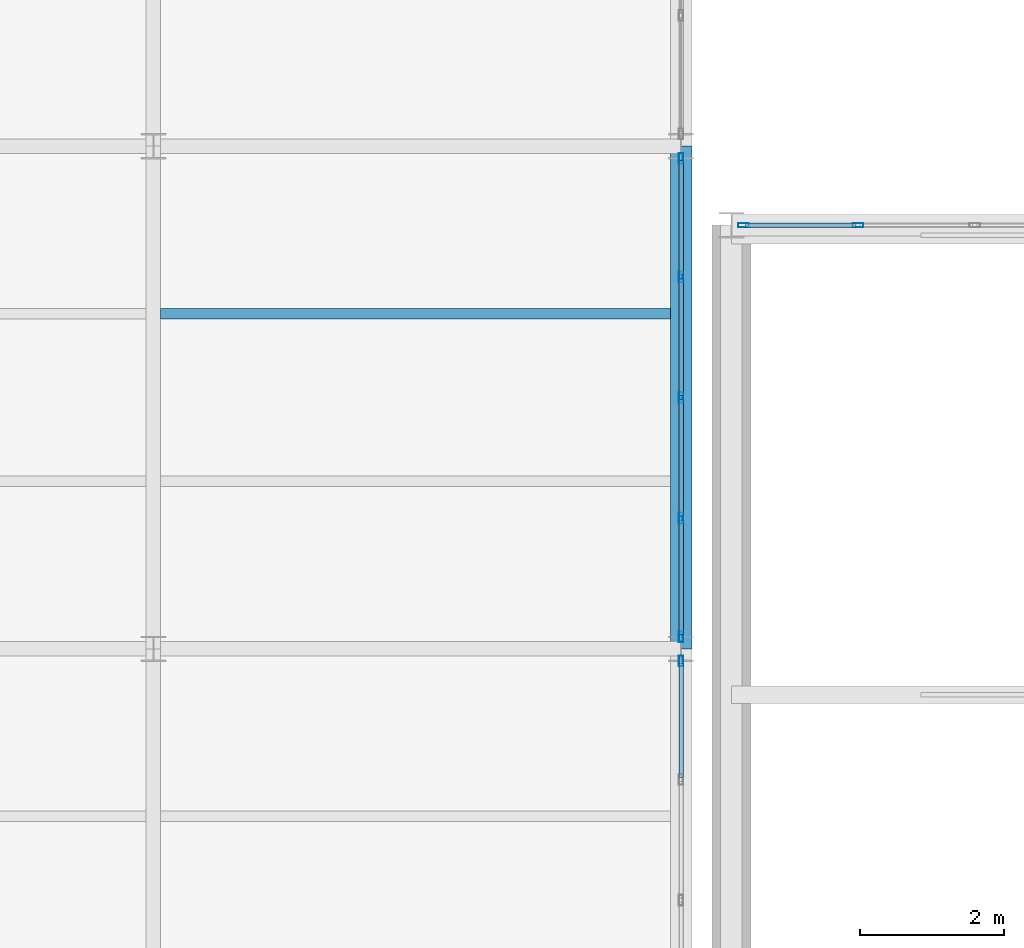
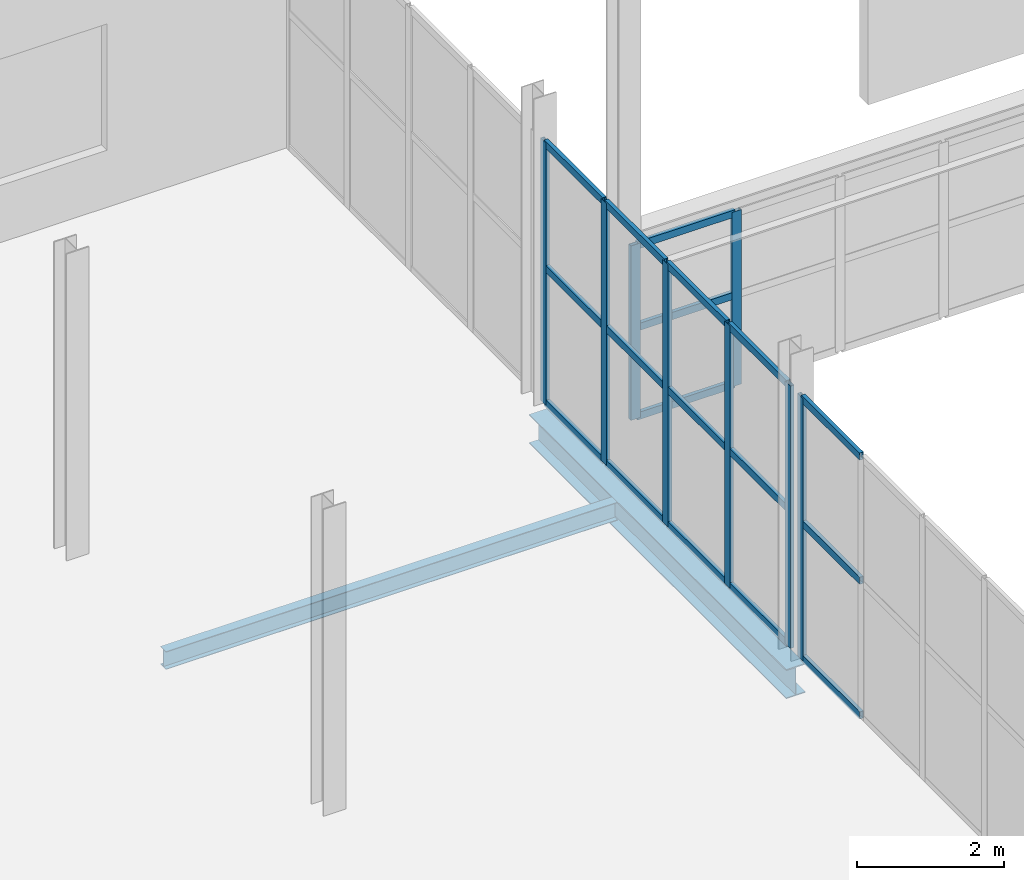
# One storey, part 57 of 218: 26 members, 2 beams, 3 elements without a shape of their own.
"""IFC4 building model written with IfcOpenShell, lengths in metres."""

from ifc_helpers import new_model, si_unit, direction, frame, origin, origin_2d, place, context, subcontext, project, spatial, hollow_rectangle, i_section, extrude, material, material_profile, profile_set, type_object, element, aggregate, save


model = new_model("IFC4")

# Units and contexts
model_context = context("Model", 3, precision=1e-05, world=origin(), true_north=direction((0.0, 1.0)))
body_context = subcontext(model_context, "Body", "Model", "MODEL_VIEW")
ifc_project = project(units=[si_unit("LENGTHUNIT", "METRE"), si_unit("AREAUNIT", "SQUARE_METRE"), si_unit("VOLUMEUNIT", "CUBIC_METRE"), si_unit("PLANEANGLEUNIT", "RADIAN"), si_unit("MASSUNIT", "GRAM", prefix="KILO")], contexts=[model_context])

# Site, building, storey
site_placement = place(None, origin())
site = spatial("IfcSite", under=ifc_project, at=site_placement, CompositionType="ELEMENT")
building_placement = place(site_placement, origin())
building = spatial("IfcBuilding", under=site, at=building_placement, Name="Kazenagashi Tramway Depot", CompositionType="ELEMENT")
storey_placement = place(building_placement, frame((0.0, 0.0, 6.0)))
storey = spatial("IfcBuildingStorey", under=building, at=storey_placement, Name="L02", CompositionType="ELEMENT", Elevation=6.0)

# Beam
ifc_material_1 = material(Name="Steel SN400B", Category="steel")
ifc_material_profile_1 = material_profile(ifc_material_1, i_section(OverallWidth=0.15, OverallDepth=0.3, WebThickness=0.0065, FlangeThickness=0.009, at=origin_2d()), Name="H-300x150x6.5x9")
ifc_profile_set_1 = profile_set([ifc_material_profile_1], Name="Steel SN400B")
beam_type_1 = type_object("IfcBeamType", Name="J-02", PredefinedType="JOIST", material=ifc_profile_set_1)
beam_1_placement = place(storey_placement, frame((36.85, 53.667, -0.4), z_axis=(1.0, 0.0, 0.0), x_axis=(0.0, 1.0, 0.0)))
element("IfcBeam", 1, at=beam_1_placement, inside=storey, type_object=beam_type_1, Name="Beam J-02 BM-0205", PredefinedType="JOIST", context=body_context, shape_type="SweptSolid", body=[
    extrude(i_section(OverallWidth=0.15, OverallDepth=0.3, WebThickness=0.0065, FlangeThickness=0.009, at=origin_2d()), origin(), (0.0, 0.0, 1.0), 7.1),
])

# Curtain wall, members
ifc_material_2 = material(Name="Anodised Aluminium and Low-E Glazing", Category="aluminium")
curtain_wall_type_1 = type_object("IfcCurtainWallType", Name="CW-21", PredefinedType="USERDEFINED", material=ifc_material_2)
curtain_wall_1_placement = place(storey_placement, origin())
curtain_wall_1 = element("IfcCurtainWall", 2, at=curtain_wall_1_placement, inside=storey, type_object=curtain_wall_type_1, Name="Industrial Glazed Screen CW-21 CW-0107", ObjectType="GLAZED SCREEN", PredefinedType="USERDEFINED")
ifc_material_3 = material(Name="Anodised Aluminium", Category="aluminium")
ifc_material_profile_2 = material_profile(ifc_material_3, hollow_rectangle(XDim=0.06, YDim=0.15, WallThickness=0.004, at=origin_2d()), Name="RHS-150x60x4")
ifc_profile_set_2 = profile_set([ifc_material_profile_2], Name="Anodised Aluminium")
member_type_1 = type_object("IfcMemberType", Name="ML-01", PredefinedType="MULLION", material=ifc_profile_set_2)
member_1_placement = place(storey_placement, frame((44.97, 54.9, 0.0), z_axis=(0.0, 0.0, 1.0), x_axis=(0.0, 1.0, 0.0)))
member_1 = element("IfcMember", 3, at=member_1_placement, type_object=member_type_1, Name="CW-21 mullion 1", PredefinedType="MULLION", context=body_context, shape_type="SweptSolid", body=[
    extrude(hollow_rectangle(XDim=0.06, YDim=0.15, WallThickness=0.004, at=origin_2d()), origin(), (0.0, 0.0, 1.0), 2.9),
])
member_2_placement = place(storey_placement, frame((46.564, 54.9, 0.0), z_axis=(0.0, 0.0, 1.0), x_axis=(0.0, 1.0, 0.0)))
member_2 = element("IfcMember", 4, at=member_2_placement, type_object=member_type_1, Name="CW-21 mullion 2", PredefinedType="MULLION", context=body_context, shape_type="SweptSolid", body=[
    extrude(hollow_rectangle(XDim=0.06, YDim=0.15, WallThickness=0.004, at=origin_2d()), origin(), (0.0, 0.0, 1.0), 2.9),
])

# Curtain wall, member
curtain_wall_type_2 = type_object("IfcCurtainWallType", Name="CW-34", PredefinedType="USERDEFINED", material=ifc_material_2)
curtain_wall_2_placement = place(storey_placement, origin())
curtain_wall_2 = element("IfcCurtainWall", 5, at=curtain_wall_2_placement, inside=storey, type_object=curtain_wall_type_2, Name="Industrial Glazed Screen CW-34 CW-0192", ObjectType="GLAZED SCREEN", PredefinedType="USERDEFINED")
member_3_placement = place(storey_placement, frame((44.1, 48.83, 0.0), z_axis=(0.0, 0.0, 1.0), x_axis=(-1.0, 0.0, 0.0)))
member_3 = element("IfcMember", 6, at=member_3_placement, type_object=member_type_1, Name="CW-34 mullion 5", PredefinedType="MULLION", context=body_context, shape_type="SweptSolid", body=[
    extrude(hollow_rectangle(XDim=0.06, YDim=0.15, WallThickness=0.004, at=origin_2d()), origin(), (0.0, 0.0, 1.0), 4.362),
])

# Curtain wall, members
curtain_wall_3_placement = place(storey_placement, origin())
curtain_wall_3 = element("IfcCurtainWall", 7, at=curtain_wall_3_placement, inside=storey, type_object=curtain_wall_type_2, Name="Industrial Glazed Screen CW-34 CW-0194", ObjectType="GLAZED SCREEN", PredefinedType="USERDEFINED")
member_4_placement = place(storey_placement, frame((44.1, 49.17, 0.0), z_axis=(0.0, 0.0, 1.0), x_axis=(-1.0, 0.0, 0.0)))
member_4 = element("IfcMember", 8, at=member_4_placement, type_object=member_type_1, Name="CW-34 mullion 1", PredefinedType="MULLION", context=body_context, shape_type="SweptSolid", body=[
    extrude(hollow_rectangle(XDim=0.06, YDim=0.15, WallThickness=0.004, at=origin_2d()), origin(), (0.0, 0.0, 1.0), 4.362),
])
member_5_placement = place(storey_placement, frame((44.1, 50.82, 0.0), z_axis=(0.0, 0.0, 1.0), x_axis=(-1.0, 0.0, 0.0)))
member_5 = element("IfcMember", 9, at=member_5_placement, type_object=member_type_1, Name="CW-34 mullion 2", PredefinedType="MULLION", context=body_context, shape_type="SweptSolid", body=[
    extrude(hollow_rectangle(XDim=0.06, YDim=0.15, WallThickness=0.004, at=origin_2d()), origin(), (0.0, 0.0, 1.0), 4.362),
])
member_6_placement = place(storey_placement, frame((44.1, 52.5, 0.0), z_axis=(0.0, 0.0, 1.0), x_axis=(-1.0, 0.0, 0.0)))
member_6 = element("IfcMember", 10, at=member_6_placement, type_object=member_type_1, Name="CW-34 mullion 3", PredefinedType="MULLION", context=body_context, shape_type="SweptSolid", body=[
    extrude(hollow_rectangle(XDim=0.06, YDim=0.15, WallThickness=0.004, at=origin_2d()), origin(), (0.0, 0.0, 1.0), 4.362),
])
member_7_placement = place(storey_placement, frame((44.1, 54.18, 0.0), z_axis=(0.0, 0.0, 1.0), x_axis=(-1.0, 0.0, 0.0)))
member_7 = element("IfcMember", 11, at=member_7_placement, type_object=member_type_1, Name="CW-34 mullion 4", PredefinedType="MULLION", context=body_context, shape_type="SweptSolid", body=[
    extrude(hollow_rectangle(XDim=0.06, YDim=0.15, WallThickness=0.004, at=origin_2d()), origin(), (0.0, 0.0, 1.0), 4.362),
])
member_8_placement = place(storey_placement, frame((44.1, 55.83, 0.0), z_axis=(0.0, 0.0, 1.0), x_axis=(-1.0, 0.0, 0.0)))
member_8 = element("IfcMember", 12, at=member_8_placement, type_object=member_type_1, Name="CW-34 mullion 5", PredefinedType="MULLION", context=body_context, shape_type="SweptSolid", body=[
    extrude(hollow_rectangle(XDim=0.06, YDim=0.15, WallThickness=0.004, at=origin_2d()), origin(), (0.0, 0.0, 1.0), 4.362),
])

# Beam
ifc_material_4 = material(Name="Steel SN490B", Category="steel")
ifc_material_profile_3 = material_profile(ifc_material_4, i_section(OverallWidth=0.3, OverallDepth=0.488, WebThickness=0.011, FlangeThickness=0.018, at=origin_2d()), Name="H-488x300x11x18")
ifc_profile_set_3 = profile_set([ifc_material_profile_3], Name="Steel SN490B")
beam_type_2 = type_object("IfcBeamType", Name="SP-02", PredefinedType="SPANDREL", material=ifc_profile_set_3)
beam_2_placement = place(storey_placement, frame((44.1, 49.0, -0.494), z_axis=(0.0, 1.0, 0.0), x_axis=(-1.0, 0.0, 0.0)))
element("IfcBeam", 13, at=beam_2_placement, inside=storey, type_object=beam_type_2, Name="Beam SP-02 BM-0216", PredefinedType="SPANDREL", context=body_context, shape_type="SweptSolid", body=[
    extrude(i_section(OverallWidth=0.3, OverallDepth=0.488, WebThickness=0.011, FlangeThickness=0.018, at=origin_2d()), origin(), (0.0, 0.0, 1.0), 7.0),
])

# Member
ifc_material_profile_4 = material_profile(ifc_material_3, hollow_rectangle(XDim=0.06, YDim=0.12, WallThickness=0.004, at=origin_2d()), Name="RHS-120x60x4")
ifc_profile_set_4 = profile_set([ifc_material_profile_4], Name="Anodised Aluminium")
member_type_2 = type_object("IfcMemberType", Name="TR-01", PredefinedType="USERDEFINED", material=ifc_profile_set_4)
member_9_placement = place(storey_placement, frame((45.0, 54.9, 0.03), z_axis=(1.0, 0.0, 0.0), x_axis=(0.0, 1.0, 0.0)))
member_9 = element("IfcMember", 14, at=member_9_placement, type_object=member_type_2, Name="CW-21 transom 1.1", ObjectType="TRANSOM", PredefinedType="USERDEFINED", context=body_context, shape_type="SweptSolid", body=[
    extrude(hollow_rectangle(XDim=0.06, YDim=0.12, WallThickness=0.004, at=origin_2d()), origin(), (0.0, 0.0, 1.0), 1.534),
])

member_10_placement = place(storey_placement, frame((45.0, 54.9, 1.508), z_axis=(1.0, 0.0, 0.0), x_axis=(0.0, 1.0, 0.0)))
member_10 = element("IfcMember", 15, at=member_10_placement, type_object=member_type_2, Name="CW-21 transom 1.2", ObjectType="TRANSOM", PredefinedType="USERDEFINED", context=body_context, shape_type="SweptSolid", body=[
    extrude(hollow_rectangle(XDim=0.06, YDim=0.12, WallThickness=0.004, at=origin_2d()), origin(), (0.0, 0.0, 1.0), 1.534),
])

member_11_placement = place(storey_placement, frame((45.0, 54.9, 2.87), z_axis=(1.0, 0.0, 0.0), x_axis=(0.0, 1.0, 0.0)))
member_11 = element("IfcMember", 16, at=member_11_placement, type_object=member_type_2, Name="CW-21 transom 1.3", ObjectType="TRANSOM", PredefinedType="USERDEFINED", context=body_context, shape_type="SweptSolid", body=[
    extrude(hollow_rectangle(XDim=0.06, YDim=0.12, WallThickness=0.004, at=origin_2d()), origin(), (0.0, 0.0, 1.0), 1.534),
])

aggregate(curtain_wall_1, [member_1, member_2, member_9, member_10, member_11])

member_12_placement = place(storey_placement, frame((44.1, 47.21, 0.03), z_axis=(0.0, 1.0, 0.0), x_axis=(-1.0, 0.0, 0.0)))
member_12 = element("IfcMember", 17, at=member_12_placement, type_object=member_type_2, Name="CW-34 transom 4.1", ObjectType="TRANSOM", PredefinedType="USERDEFINED", context=body_context, shape_type="SweptSolid", body=[
    extrude(hollow_rectangle(XDim=0.06, YDim=0.12, WallThickness=0.004, at=origin_2d()), origin(), (0.0, 0.0, 1.0), 1.59),
])

member_13_placement = place(storey_placement, frame((44.1, 47.21, 2.268), z_axis=(0.0, 1.0, 0.0), x_axis=(-1.0, 0.0, 0.0)))
member_13 = element("IfcMember", 18, at=member_13_placement, type_object=member_type_2, Name="CW-34 transom 4.2", ObjectType="TRANSOM", PredefinedType="USERDEFINED", context=body_context, shape_type="SweptSolid", body=[
    extrude(hollow_rectangle(XDim=0.06, YDim=0.12, WallThickness=0.004, at=origin_2d()), origin(), (0.0, 0.0, 1.0), 1.59),
])

member_14_placement = place(storey_placement, frame((44.1, 47.21, 4.332), z_axis=(0.0, 1.0, 0.0), x_axis=(-1.0, 0.0, 0.0)))
member_14 = element("IfcMember", 19, at=member_14_placement, type_object=member_type_2, Name="CW-34 transom 4.3", ObjectType="TRANSOM", PredefinedType="USERDEFINED", context=body_context, shape_type="SweptSolid", body=[
    extrude(hollow_rectangle(XDim=0.06, YDim=0.12, WallThickness=0.004, at=origin_2d()), origin(), (0.0, 0.0, 1.0), 1.59),
])

aggregate(curtain_wall_2, [member_3, member_12, member_13, member_14])

member_15_placement = place(storey_placement, frame((44.1, 49.2, 0.03), z_axis=(0.0, 1.0, 0.0), x_axis=(-1.0, 0.0, 0.0)))
member_15 = element("IfcMember", 20, at=member_15_placement, type_object=member_type_2, Name="CW-34 transom 1.1", ObjectType="TRANSOM", PredefinedType="USERDEFINED", context=body_context, shape_type="SweptSolid", body=[
    extrude(hollow_rectangle(XDim=0.06, YDim=0.12, WallThickness=0.004, at=origin_2d()), origin(), (0.0, 0.0, 1.0), 1.59),
])

member_16_placement = place(storey_placement, frame((44.1, 49.2, 2.268), z_axis=(0.0, 1.0, 0.0), x_axis=(-1.0, 0.0, 0.0)))
member_16 = element("IfcMember", 21, at=member_16_placement, type_object=member_type_2, Name="CW-34 transom 1.2", ObjectType="TRANSOM", PredefinedType="USERDEFINED", context=body_context, shape_type="SweptSolid", body=[
    extrude(hollow_rectangle(XDim=0.06, YDim=0.12, WallThickness=0.004, at=origin_2d()), origin(), (0.0, 0.0, 1.0), 1.59),
])

member_17_placement = place(storey_placement, frame((44.1, 49.2, 4.332), z_axis=(0.0, 1.0, 0.0), x_axis=(-1.0, 0.0, 0.0)))
member_17 = element("IfcMember", 22, at=member_17_placement, type_object=member_type_2, Name="CW-34 transom 1.3", ObjectType="TRANSOM", PredefinedType="USERDEFINED", context=body_context, shape_type="SweptSolid", body=[
    extrude(hollow_rectangle(XDim=0.06, YDim=0.12, WallThickness=0.004, at=origin_2d()), origin(), (0.0, 0.0, 1.0), 1.59),
])

member_18_placement = place(storey_placement, frame((44.1, 50.85, 0.03), z_axis=(0.0, 1.0, 0.0), x_axis=(-1.0, 0.0, 0.0)))
member_18 = element("IfcMember", 23, at=member_18_placement, type_object=member_type_2, Name="CW-34 transom 2.1", ObjectType="TRANSOM", PredefinedType="USERDEFINED", context=body_context, shape_type="SweptSolid", body=[
    extrude(hollow_rectangle(XDim=0.06, YDim=0.12, WallThickness=0.004, at=origin_2d()), origin(), (0.0, 0.0, 1.0), 1.62),
])

member_19_placement = place(storey_placement, frame((44.1, 50.85, 2.268), z_axis=(0.0, 1.0, 0.0), x_axis=(-1.0, 0.0, 0.0)))
member_19 = element("IfcMember", 24, at=member_19_placement, type_object=member_type_2, Name="CW-34 transom 2.2", ObjectType="TRANSOM", PredefinedType="USERDEFINED", context=body_context, shape_type="SweptSolid", body=[
    extrude(hollow_rectangle(XDim=0.06, YDim=0.12, WallThickness=0.004, at=origin_2d()), origin(), (0.0, 0.0, 1.0), 1.62),
])

member_20_placement = place(storey_placement, frame((44.1, 50.85, 4.332), z_axis=(0.0, 1.0, 0.0), x_axis=(-1.0, 0.0, 0.0)))
member_20 = element("IfcMember", 25, at=member_20_placement, type_object=member_type_2, Name="CW-34 transom 2.3", ObjectType="TRANSOM", PredefinedType="USERDEFINED", context=body_context, shape_type="SweptSolid", body=[
    extrude(hollow_rectangle(XDim=0.06, YDim=0.12, WallThickness=0.004, at=origin_2d()), origin(), (0.0, 0.0, 1.0), 1.62),
])

member_21_placement = place(storey_placement, frame((44.1, 52.53, 0.03), z_axis=(0.0, 1.0, 0.0), x_axis=(-1.0, 0.0, 0.0)))
member_21 = element("IfcMember", 26, at=member_21_placement, type_object=member_type_2, Name="CW-34 transom 3.1", ObjectType="TRANSOM", PredefinedType="USERDEFINED", context=body_context, shape_type="SweptSolid", body=[
    extrude(hollow_rectangle(XDim=0.06, YDim=0.12, WallThickness=0.004, at=origin_2d()), origin(), (0.0, 0.0, 1.0), 1.62),
])

member_22_placement = place(storey_placement, frame((44.1, 52.53, 2.268), z_axis=(0.0, 1.0, 0.0), x_axis=(-1.0, 0.0, 0.0)))
member_22 = element("IfcMember", 27, at=member_22_placement, type_object=member_type_2, Name="CW-34 transom 3.2", ObjectType="TRANSOM", PredefinedType="USERDEFINED", context=body_context, shape_type="SweptSolid", body=[
    extrude(hollow_rectangle(XDim=0.06, YDim=0.12, WallThickness=0.004, at=origin_2d()), origin(), (0.0, 0.0, 1.0), 1.62),
])

member_23_placement = place(storey_placement, frame((44.1, 52.53, 4.332), z_axis=(0.0, 1.0, 0.0), x_axis=(-1.0, 0.0, 0.0)))
member_23 = element("IfcMember", 28, at=member_23_placement, type_object=member_type_2, Name="CW-34 transom 3.3", ObjectType="TRANSOM", PredefinedType="USERDEFINED", context=body_context, shape_type="SweptSolid", body=[
    extrude(hollow_rectangle(XDim=0.06, YDim=0.12, WallThickness=0.004, at=origin_2d()), origin(), (0.0, 0.0, 1.0), 1.62),
])

member_24_placement = place(storey_placement, frame((44.1, 54.21, 0.03), z_axis=(0.0, 1.0, 0.0), x_axis=(-1.0, 0.0, 0.0)))
member_24 = element("IfcMember", 29, at=member_24_placement, type_object=member_type_2, Name="CW-34 transom 4.1", ObjectType="TRANSOM", PredefinedType="USERDEFINED", context=body_context, shape_type="SweptSolid", body=[
    extrude(hollow_rectangle(XDim=0.06, YDim=0.12, WallThickness=0.004, at=origin_2d()), origin(), (0.0, 0.0, 1.0), 1.59),
])

member_25_placement = place(storey_placement, frame((44.1, 54.21, 2.268), z_axis=(0.0, 1.0, 0.0), x_axis=(-1.0, 0.0, 0.0)))
member_25 = element("IfcMember", 30, at=member_25_placement, type_object=member_type_2, Name="CW-34 transom 4.2", ObjectType="TRANSOM", PredefinedType="USERDEFINED", context=body_context, shape_type="SweptSolid", body=[
    extrude(hollow_rectangle(XDim=0.06, YDim=0.12, WallThickness=0.004, at=origin_2d()), origin(), (0.0, 0.0, 1.0), 1.59),
])

member_26_placement = place(storey_placement, frame((44.1, 54.21, 4.332), z_axis=(0.0, 1.0, 0.0), x_axis=(-1.0, 0.0, 0.0)))
member_26 = element("IfcMember", 31, at=member_26_placement, type_object=member_type_2, Name="CW-34 transom 4.3", ObjectType="TRANSOM", PredefinedType="USERDEFINED", context=body_context, shape_type="SweptSolid", body=[
    extrude(hollow_rectangle(XDim=0.06, YDim=0.12, WallThickness=0.004, at=origin_2d()), origin(), (0.0, 0.0, 1.0), 1.59),
])

aggregate(curtain_wall_3, [member_4, member_5, member_6, member_7, member_8, member_15, member_16, member_17, member_18, member_19, member_20, member_21, member_22, member_23, member_24, member_25, member_26])

save(model, "model.ifc")
